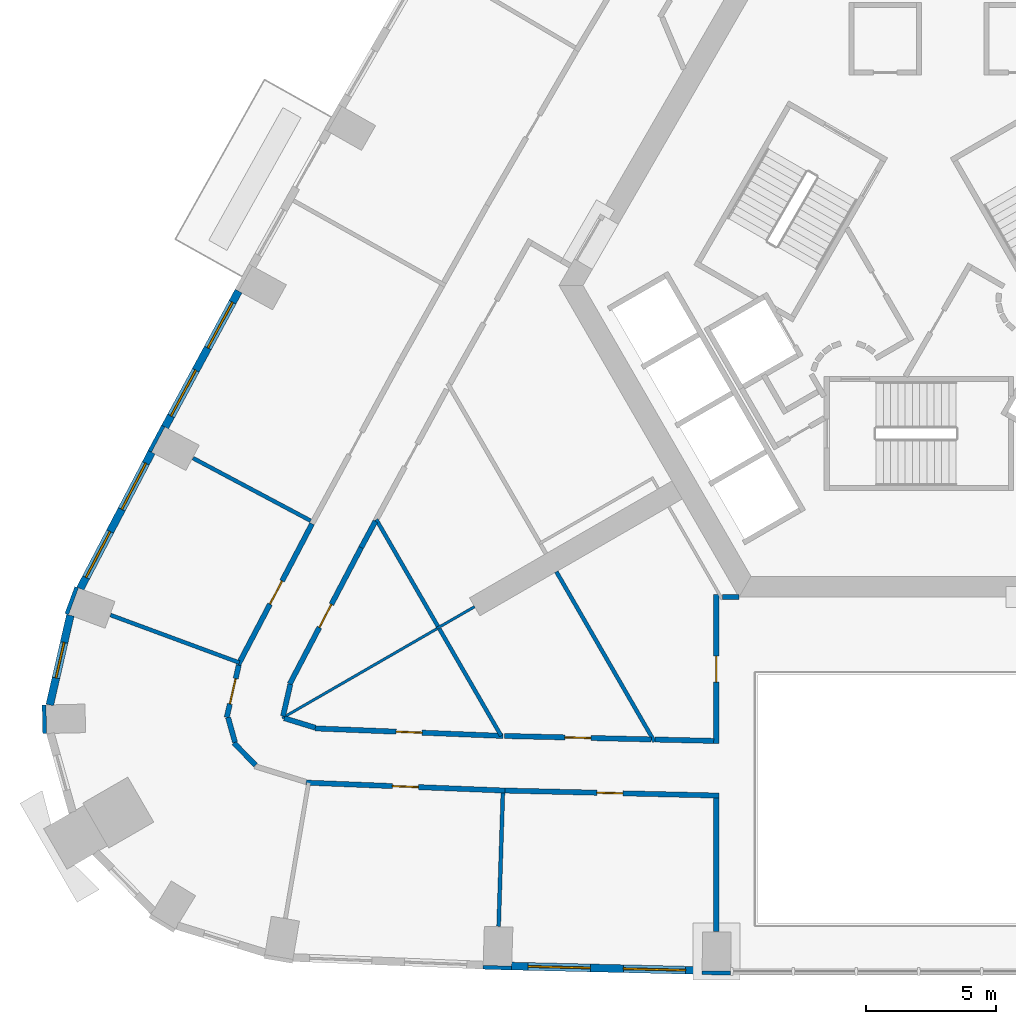
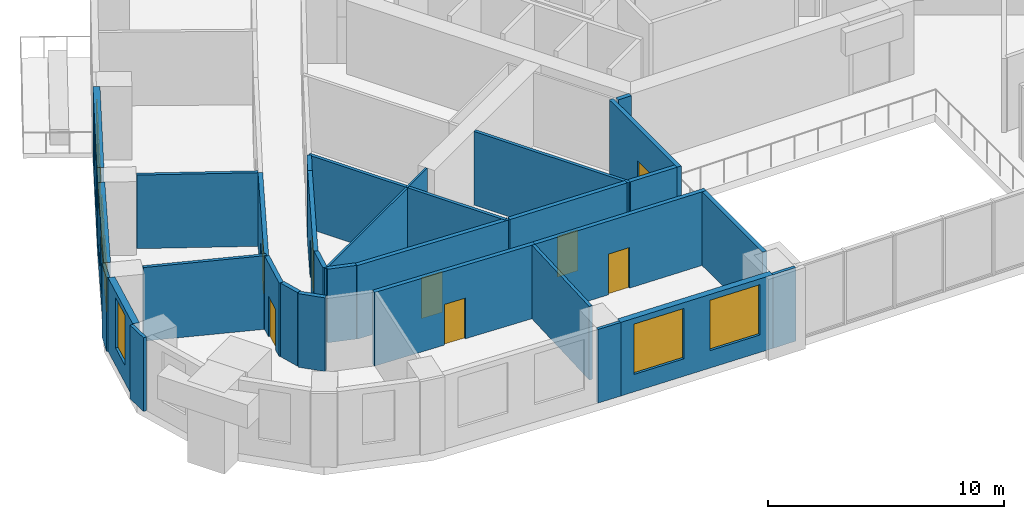
# One storey, part 4 of 14: 33 walls, 8 doors, 7 windows, 15 openings.
"""IFC4 building model written with IfcOpenShell, lengths in metres."""

from ifc_helpers import new_model, si_unit, direction, frame, frame_2d, origin, place, context, subcontext, project, spatial, rectangle, extrude, material, layer, layer_set, type_object, element, fill, save


model = new_model("IFC4")

# Units and contexts
model_context = context("Model", 3, precision=1e-05, world=origin(), true_north=direction((0.0, 1.0)))
body_context = subcontext(model_context, "Body", "Model", "MODEL_VIEW")
ifc_project = project(units=[si_unit("LENGTHUNIT", "METRE"), si_unit("AREAUNIT", "SQUARE_METRE"), si_unit("VOLUMEUNIT", "CUBIC_METRE"), si_unit("PLANEANGLEUNIT", "RADIAN"), si_unit("MASSUNIT", "GRAM", prefix="KILO")], contexts=[model_context])

# Site, building, storey
site_placement = place(None, origin())
site = spatial("IfcSite", under=ifc_project, at=site_placement, CompositionType="ELEMENT")
building_placement = place(site_placement, origin())
building = spatial("IfcBuilding", under=site, at=building_placement, Name="Entoto Arch Interchange Tower", CompositionType="ELEMENT")
storey_placement = place(building_placement, frame((0.0, 0.0, 146.60009765625)))
storey = spatial("IfcBuildingStorey", under=building, at=storey_placement, Name="L32", CompositionType="ELEMENT", Elevation=146.60009765625)

# Walls
ifc_material_1 = material(Name="Gypsum board partition on steel studs", Category="steel")
ifc_layer_1 = layer(ifc_material_1, 0.10009765625)
ifc_layer_set_1 = layer_set([ifc_layer_1], Name="Gypsum board partition on steel studs")
wall_type_1 = type_object("IfcWallType", Name="PARTITION 100", PredefinedType="PARTITIONING", material=ifc_layer_set_1)
wall_1_placement = place(storey_placement, frame((-17.10791015625, -9.868896484375, 0.0), z_axis=(0.0, 0.0, 1.0), x_axis=(-0.866054481515, -0.499949632511, 0.0)))
element("IfcWall", 1, at=wall_1_placement, inside=storey, type_object=wall_type_1, Name="wall:L32:p119", PredefinedType="PARTITIONING", context=body_context, shape_type="SweptSolid", body=[
    extrude(rectangle(XDim=1.674560546875, YDim=0.10009765625, at=frame_2d((0.83740234375, 0.0))), origin(), (0.0, 0.0, 1.0), 3.7998046875),
])
wall_2_placement = place(storey_placement, frame((-18.552978515625, -10.715087890625, 0.0), z_axis=(0.0, 0.0, 1.0), x_axis=(-0.865984622623, -0.500070628392, 0.0)))
element("IfcWall", 2, at=wall_2_placement, inside=storey, type_object=wall_type_1, Name="wall:L32:p122", PredefinedType="PARTITIONING", context=body_context, shape_type="SweptSolid", body=[
    extrude(rectangle(XDim=6.87890625, YDim=0.10009765625, at=frame_2d((3.439453125, 0.0))), origin(), (0.0, 0.0, 1.0), 3.7998046875),
])
ifc_layer_2 = layer(ifc_material_1, 0.14990234375)
ifc_layer_set_2 = layer_set([ifc_layer_2], Name="Gypsum board partition on steel studs")
wall_type_2 = type_object("IfcWallType", Name="PARTITION 150", PredefinedType="PARTITIONING", material=ifc_layer_set_2)
wall_3_placement = place(storey_placement, frame((-10.179931640625, -15.068115234375, 0.0), z_axis=(0.0, 0.0, 1.0), x_axis=(-0.499907901386, 0.866078570415, 0.0)))
element("IfcWall", 3, at=wall_3_placement, inside=storey, type_object=wall_type_2, Name="wall:L32:p118", PredefinedType="PARTITIONING", context=body_context, shape_type="SweptSolid", body=[
    extrude(rectangle(XDim=7.5595703125, YDim=0.14990234375, at=frame_2d((3.77978515625, 0.0))), origin(), (0.0, 0.0, 1.0), 3.7998046875),
])
wall_4_placement = place(storey_placement, frame((-18.51806640625, -10.625, 0.0), z_axis=(0.0, 0.0, 1.0), x_axis=(-0.50001189137, 0.86601853819, 0.0)))
element("IfcWall", 4, at=wall_4_placement, inside=storey, type_object=wall_type_2, Name="wall:L32:p120", PredefinedType="PARTITIONING", context=body_context, shape_type="SweptSolid", body=[
    extrude(rectangle(XDim=4.74609375, YDim=0.14990234375, at=frame_2d((2.373046875, 0.0))), origin(), (0.0, 0.0, 1.0), 3.7998046875),
])
wall_5_placement = place(storey_placement, frame((-16.083984375, -14.841064453125, 0.0), z_axis=(0.0, 0.0, 1.0), x_axis=(-0.50002451059, 0.866011252126, 0.0)))
element("IfcWall", 5, at=wall_5_placement, inside=storey, type_object=wall_type_2, Name="wall:L32:p121", PredefinedType="PARTITIONING", context=body_context, shape_type="SweptSolid", body=[
    extrude(rectangle(XDim=4.757568359375, YDim=0.14990234375, at=frame_2d((2.37890625, 0.0))), origin(), (0.0, 0.0, 1.0), 3.7998046875),
])
wall_6_placement = place(storey_placement, frame((-23.4169921875, -6.56005859375, 0.0), z_axis=(0.0, 0.0, 1.0), x_axis=(-0.882784638588, 0.469777906967, 0.0)))
element("IfcWall", 6, at=wall_6_placement, inside=storey, type_object=wall_type_2, Name="wall:L32:p136", PredefinedType="PARTITIONING", context=body_context, shape_type="SweptSolid", body=[
    extrude(rectangle(XDim=5.13037109375, YDim=0.14990234375, at=frame_2d((2.565185546875, 0.0))), origin(), (0.0, 0.0, 1.0), 3.7998046875),
])
wall_7_placement = place(storey_placement, frame((-26.1640625, -12.02294921875, 0.0), z_axis=(0.0, 0.0, 1.0), x_axis=(-0.937995804261, 0.346646608505, 0.0)))
element("IfcWall", 7, at=wall_7_placement, inside=storey, type_object=wall_type_2, Name="wall:L32:p137", PredefinedType="PARTITIONING", context=body_context, shape_type="SweptSolid", body=[
    extrude(rectangle(XDim=5.287841796875, YDim=0.14990234375, at=frame_2d((2.64404296875, 0.0))), origin(), (0.0, 0.0, 1.0), 3.7998046875),
])
wall_8_placement = place(storey_placement, frame((-16.01806640625, -17.044921875, 0.0), z_axis=(0.0, 0.0, 1.0), x_axis=(-0.031744385759, -0.999496019988, 0.0)))
element("IfcWall", 8, at=wall_8_placement, inside=storey, type_object=wall_type_2, Name="wall:L32:p139", PredefinedType="PARTITIONING", context=body_context, shape_type="SweptSolid", body=[
    extrude(rectangle(XDim=5.1298828125, YDim=0.14990234375, at=frame_2d((2.56494140625, 0.0))), origin(), (0.0, 0.0, 1.0), 3.7998046875),
])
ifc_layer_3 = layer(ifc_material_1, 0.199951171875)
ifc_layer_set_3 = layer_set([ifc_layer_3], Name="Gypsum board partition on steel studs")
wall_type_3 = type_object("IfcWallType", Name="PARTITION 200", PredefinedType="PARTITIONING", material=ifc_layer_set_3)
wall_9_placement = place(storey_placement, frame((-10.155029296875, -14.98291015625, 0.0), z_axis=(0.0, 0.0, 1.0), x_axis=(0.999724165956, -0.023485995887, 0.0)))
element("IfcWall", 9, at=wall_9_placement, inside=storey, type_object=wall_type_3, Name="wall:L32:p024", PredefinedType="PARTITIONING", context=body_context, shape_type="SweptSolid", body=[
    extrude(rectangle(XDim=2.255859375, YDim=0.199951171875, at=frame_2d((1.1279296875, 0.0))), origin(), (0.0, 0.0, 1.0), 3.7998046875),
])

# Wall, opening, door
wall_10_placement = place(storey_placement, frame((-15.947998046875, -14.845947265625, 0.0), z_axis=(0.0, 0.0, 1.0), x_axis=(0.999722136341, -0.023572231734, 0.0)))
wall_10 = element("IfcWall", 10, at=wall_10_placement, inside=storey, type_object=wall_type_3, Name="wall:L32:p026", PredefinedType="PARTITIONING", context=body_context, shape_type="SweptSolid", body=[
    extrude(rectangle(XDim=5.64453125, YDim=0.199951171875, at=frame_2d((2.822265625, 0.0))), origin(), (0.0, 0.0, 1.0), 3.7998046875),
])
opening_1_placement = place(wall_10_placement, frame((2.322021484375, 0.0, 0.0)))
opening_1 = element("IfcOpeningElement", 11, at=opening_1_placement, cuts=wall_10, Name="Opening L32-D27", PredefinedType="OPENING", context=body_context, shape_type="SweptSolid", body=[
    extrude(rectangle(XDim=1.0, YDim=2.10009765625, at=frame_2d((0.5, 1.050048828125))), frame((0.0, 0.10986328125, 0.0), z_axis=(0.0, -1.0, 0.0), x_axis=(1.0, 0.0, 0.0)), (0.0, 0.0, 1.0), 0.219970703125),
])
ifc_material_2 = material(Name="Timber door leaf in Steel S235 frame", Category="steel")
door_type = type_object("IfcDoorType", Name="DOOR DS-10 1000x2100", OperationType="SINGLE_SWING_LEFT", PredefinedType="DOOR", material=ifc_material_2)
door_1_placement = place(opening_1_placement, origin())
door_1 = element("IfcDoor", 12, at=door_1_placement, inside=storey, type_object=door_type, Name="door:L32:27", OperationType="SINGLE_SWING_LEFT", OverallHeight=2.10009765625, OverallWidth=1.0, PredefinedType="DOOR", context=body_context, shape_type="SweptSolid", body=[
    extrude(rectangle(XDim=1.0, YDim=2.10009765625, at=frame_2d((0.5, 1.050048828125))), frame((0.0, 0.02490234375, 0.0), z_axis=(0.0, -1.0, 0.0), x_axis=(1.0, 0.0, 0.0)), (0.0, 0.0, 1.0), 0.050048828125),
])
fill(opening_1, door_1)

wall_11_placement = place(storey_placement, frame((-21.47509765625, -7.593994140625, 0.0), z_axis=(0.0, 0.0, 1.0), x_axis=(-0.463809970306, -0.885934710599, 0.0)))
wall_11 = element("IfcWall", 13, at=wall_11_placement, inside=storey, type_object=wall_type_3, Name="wall:L32:p027", PredefinedType="PARTITIONING", context=body_context, shape_type="SweptSolid", body=[
    extrude(rectangle(XDim=5.927001953125, YDim=0.199951171875, at=frame_2d((2.96337890625, 0.0))), origin(), (0.0, 0.0, 1.0), 3.7998046875),
])
opening_2_placement = place(wall_11_placement, frame((2.464111328125, 0.0, 0.0)))
opening_2 = element("IfcOpeningElement", 14, at=opening_2_placement, cuts=wall_11, Name="Opening L32-D28", PredefinedType="OPENING", context=body_context, shape_type="SweptSolid", body=[
    extrude(rectangle(XDim=1.0, YDim=2.10009765625, at=frame_2d((0.5, 1.050048828125))), frame((0.0, 0.10986328125, 0.0), z_axis=(0.0, -1.0, 0.0), x_axis=(1.0, 0.0, 0.0)), (0.0, 0.0, 1.0), 0.219970703125),
])
door_2_placement = place(opening_2_placement, origin())
door_2 = element("IfcDoor", 15, at=door_2_placement, inside=storey, type_object=door_type, Name="door:L32:28", OperationType="SINGLE_SWING_LEFT", OverallHeight=2.10009765625, OverallWidth=1.0, PredefinedType="DOOR", context=body_context, shape_type="SweptSolid", body=[
    extrude(rectangle(XDim=1.0, YDim=2.10009765625, at=frame_2d((0.5, 1.050048828125))), frame((0.0, 0.02490234375, 0.0), z_axis=(0.0, -1.0, 0.0), x_axis=(1.0, 0.0, 0.0)), (0.0, 0.0, 1.0), 0.050048828125),
])
fill(opening_2, door_2)

# Walls
wall_12_placement = place(storey_placement, frame((-24.199951171875, -12.85400390625, 0.0), z_axis=(0.0, 0.0, 1.0), x_axis=(-0.223967203961, -0.974596681479, 0.0)))
element("IfcWall", 16, at=wall_12_placement, inside=storey, type_object=wall_type_3, Name="wall:L32:p028", PredefinedType="PARTITIONING", context=body_context, shape_type="SweptSolid", body=[
    extrude(rectangle(XDim=1.259033203125, YDim=0.199951171875, at=frame_2d((0.62939453125, 0.0))), origin(), (0.0, 0.0, 1.0), 3.7998046875),
])
wall_13_placement = place(storey_placement, frame((-20.927001953125, -6.5810546875, 0.0), z_axis=(0.0, 0.0, 1.0), x_axis=(-0.475893856394, -0.879502721682, 0.0)))
element("IfcWall", 17, at=wall_13_placement, inside=storey, type_object=wall_type_3, Name="wall:L32:p029", PredefinedType="PARTITIONING", context=body_context, shape_type="SweptSolid", body=[
    extrude(rectangle(XDim=1.151611328125, YDim=0.199951171875, at=frame_2d((0.57568359375, 0.0))), origin(), (0.0, 0.0, 1.0), 3.7998046875),
])
wall_14_placement = place(storey_placement, frame((-24.43505859375, -14.162109375, 0.0), z_axis=(0.0, 0.0, 1.0), x_axis=(0.956086269468, -0.293085389152, 0.0)))
element("IfcWall", 18, at=wall_14_placement, inside=storey, type_object=wall_type_3, Name="wall:L32:p030", PredefinedType="PARTITIONING", context=body_context, shape_type="SweptSolid", body=[
    extrude(rectangle(XDim=1.251953125, YDim=0.199951171875, at=frame_2d((0.6259765625, 0.0))), origin(), (0.0, 0.0, 1.0), 3.7998046875),
])

# Wall, opening, door
wall_15_placement = place(storey_placement, frame((-23.241943359375, -14.554931640625, 0.0), z_axis=(0.0, 0.0, 1.0), x_axis=(0.999202143743, -0.039938401802, 0.0)))
wall_15 = element("IfcWall", 19, at=wall_15_placement, inside=storey, type_object=wall_type_3, Name="wall:L32:p031", PredefinedType="PARTITIONING", context=body_context, shape_type="SweptSolid", body=[
    extrude(rectangle(XDim=7.23779296875, YDim=0.199951171875, at=frame_2d((3.618896484375, 0.0))), origin(), (0.0, 0.0, 1.0), 3.7998046875),
])
opening_3_placement = place(wall_15_placement, frame((3.118896484375, 0.0, 0.0)))
opening_3 = element("IfcOpeningElement", 20, at=opening_3_placement, cuts=wall_15, Name="Opening L32-D29", PredefinedType="OPENING", context=body_context, shape_type="SweptSolid", body=[
    extrude(rectangle(XDim=1.0, YDim=2.10009765625, at=frame_2d((0.5, 1.050048828125))), frame((0.0, 0.10986328125, 0.0), z_axis=(0.0, -1.0, 0.0), x_axis=(1.0, 0.0, 0.0)), (0.0, 0.0, 1.0), 0.219970703125),
])
door_3_placement = place(opening_3_placement, origin())
door_3 = element("IfcDoor", 21, at=door_3_placement, inside=storey, type_object=door_type, Name="door:L32:29", OperationType="SINGLE_SWING_LEFT", OverallHeight=2.10009765625, OverallWidth=1.0, PredefinedType="DOOR", context=body_context, shape_type="SweptSolid", body=[
    extrude(rectangle(XDim=1.0, YDim=2.10009765625, at=frame_2d((0.5, 1.050048828125))), frame((0.0, 0.02490234375, 0.0), z_axis=(0.0, -1.0, 0.0), x_axis=(1.0, 0.0, 0.0)), (0.0, 0.0, 1.0), 0.050048828125),
])
fill(opening_3, door_3)

wall_16_placement = place(storey_placement, frame((-26.2099609375, -12.111083984375, 0.0), z_axis=(0.0, 0.0, 1.0), x_axis=(0.46374980173, 0.885966207818, 0.0)))
wall_16 = element("IfcWall", 22, at=wall_16_placement, inside=storey, type_object=wall_type_3, Name="wall:L32:p059", PredefinedType="PARTITIONING", context=body_context, shape_type="SweptSolid", body=[
    extrude(rectangle(XDim=6.13671875, YDim=0.199951171875, at=frame_2d((3.068359375, 0.0))), origin(), (0.0, 0.0, 1.0), 3.7998046875),
])
opening_4_placement = place(wall_16_placement, frame((2.64404296875, 0.0, 0.0)))
opening_4 = element("IfcOpeningElement", 23, at=opening_4_placement, cuts=wall_16, Name="Opening L32-D15", PredefinedType="OPENING", context=body_context, shape_type="SweptSolid", body=[
    extrude(rectangle(XDim=1.0, YDim=2.10009765625, at=frame_2d((0.5, 1.050048828125))), frame((0.0, 0.10986328125, 0.0), z_axis=(0.0, -1.0, 0.0), x_axis=(1.0, 0.0, 0.0)), (0.0, 0.0, 1.0), 0.219970703125),
])
door_4_placement = place(opening_4_placement, origin())
door_4 = element("IfcDoor", 24, at=door_4_placement, inside=storey, type_object=door_type, Name="door:L32:15", OperationType="SINGLE_SWING_LEFT", OverallHeight=2.10009765625, OverallWidth=1.0, PredefinedType="DOOR", context=body_context, shape_type="SweptSolid", body=[
    extrude(rectangle(XDim=1.0, YDim=2.10009765625, at=frame_2d((0.5, 1.050048828125))), frame((0.0, 0.02490234375, 0.0), z_axis=(0.0, -1.0, 0.0), x_axis=(1.0, 0.0, 0.0)), (0.0, 0.0, 1.0), 0.050048828125),
])
fill(opening_4, door_4)

# Walls
wall_17_placement = place(storey_placement, frame((-25.5380859375, -15.969970703125, 0.0), z_axis=(0.0, 0.0, 1.0), x_axis=(-0.698272822523, 0.715831729756, 0.0)))
element("IfcWall", 25, at=wall_17_placement, inside=storey, type_object=wall_type_3, Name="wall:L32:p061", PredefinedType="PARTITIONING", context=body_context, shape_type="SweptSolid", body=[
    extrude(rectangle(XDim=1.19580078125, YDim=0.199951171875, at=frame_2d((0.597900390625, 0.0))), origin(), (0.0, 0.0, 1.0), 3.7998046875),
])
wall_18_placement = place(storey_placement, frame((-26.330078125, -15.089111328125, 0.0), z_axis=(0.0, 0.0, 1.0), x_axis=(-0.270631784819, 0.962682936925, 0.0)))
element("IfcWall", 26, at=wall_18_placement, inside=storey, type_object=wall_type_3, Name="wall:L32:p062", PredefinedType="PARTITIONING", context=body_context, shape_type="SweptSolid", body=[
    extrude(rectangle(XDim=0.994140625, YDim=0.199951171875, at=frame_2d((0.4970703125, 0.0))), origin(), (0.0, 0.0, 1.0), 3.7998046875),
])

# Wall, opening, door
wall_19_placement = place(storey_placement, frame((-26.64892578125, -14.133056640625, 0.0), z_axis=(0.0, 0.0, 1.0), x_axis=(0.224108401048, 0.974564222912, 0.0)))
wall_19 = element("IfcWall", 27, at=wall_19_placement, inside=storey, type_object=wall_type_3, Name="wall:L32:p063", PredefinedType="PARTITIONING", context=body_context, shape_type="SweptSolid", body=[
    extrude(rectangle(XDim=2.0654296875, YDim=0.199951171875, at=frame_2d((1.03271484375, 0.0))), origin(), (0.0, 0.0, 1.0), 3.7998046875),
])
opening_5_placement = place(wall_19_placement, frame((0.532958984375, 0.0, 0.0)))
opening_5 = element("IfcOpeningElement", 28, at=opening_5_placement, cuts=wall_19, Name="Opening L32-D16", PredefinedType="OPENING", context=body_context, shape_type="SweptSolid", body=[
    extrude(rectangle(XDim=1.0, YDim=2.10009765625, at=frame_2d((0.5, 1.050048828125))), frame((0.0, 0.10986328125, 0.0), z_axis=(0.0, -1.0, 0.0), x_axis=(1.0, 0.0, 0.0)), (0.0, 0.0, 1.0), 0.219970703125),
])
door_5_placement = place(opening_5_placement, origin())
door_5 = element("IfcDoor", 29, at=door_5_placement, inside=storey, type_object=door_type, Name="door:L32:16", OperationType="SINGLE_SWING_LEFT", OverallHeight=2.10009765625, OverallWidth=1.0, PredefinedType="DOOR", context=body_context, shape_type="SweptSolid", body=[
    extrude(rectangle(XDim=1.0, YDim=2.10009765625, at=frame_2d((0.5, 1.050048828125))), frame((0.0, 0.02490234375, 0.0), z_axis=(0.0, -1.0, 0.0), x_axis=(1.0, 0.0, 0.0)), (0.0, 0.0, 1.0), 0.050048828125),
])
fill(opening_5, door_5)

wall_20_placement = place(storey_placement, frame((-15.93994140625, -16.947998046875, 0.0), z_axis=(0.0, 0.0, 1.0), x_axis=(-0.999203094545, 0.03991460699, 0.0)))
wall_20 = element("IfcWall", 30, at=wall_20_placement, inside=storey, type_object=wall_type_3, Name="wall:L32:p064", PredefinedType="PARTITIONING", context=body_context, shape_type="SweptSolid", body=[
    extrude(rectangle(XDim=7.6640625, YDim=0.199951171875, at=frame_2d((3.83203125, 0.0))), origin(), (0.0, 0.0, 1.0), 3.7998046875),
])
opening_6_placement = place(wall_20_placement, frame((3.33203125, 0.0, 0.0)))
opening_6 = element("IfcOpeningElement", 31, at=opening_6_placement, cuts=wall_20, Name="Opening L32-D17", PredefinedType="OPENING", context=body_context, shape_type="SweptSolid", body=[
    extrude(rectangle(XDim=1.0, YDim=2.10009765625, at=frame_2d((0.5, 1.050048828125))), frame((0.0, 0.10986328125, 0.0), z_axis=(0.0, -1.0, 0.0), x_axis=(1.0, 0.0, 0.0)), (0.0, 0.0, 1.0), 0.219970703125),
])
door_6_placement = place(opening_6_placement, origin())
door_6 = element("IfcDoor", 32, at=door_6_placement, inside=storey, type_object=door_type, Name="door:L32:17", OperationType="SINGLE_SWING_LEFT", OverallHeight=2.10009765625, OverallWidth=1.0, PredefinedType="DOOR", context=body_context, shape_type="SweptSolid", body=[
    extrude(rectangle(XDim=1.0, YDim=2.10009765625, at=frame_2d((0.5, 1.050048828125))), frame((0.0, 0.02490234375, 0.0), z_axis=(0.0, -1.0, 0.0), x_axis=(1.0, 0.0, 0.0)), (0.0, 0.0, 1.0), 0.050048828125),
])
fill(opening_6, door_6)

wall_21_placement = place(storey_placement, frame((-7.699951171875, -17.14111328125, 0.0), z_axis=(0.0, 0.0, 1.0), x_axis=(-0.999722699727, 0.023548325865, 0.0)))
wall_21 = element("IfcWall", 33, at=wall_21_placement, inside=storey, type_object=wall_type_3, Name="wall:L32:p065", PredefinedType="PARTITIONING", context=body_context, shape_type="SweptSolid", body=[
    extrude(rectangle(XDim=8.2421875, YDim=0.199951171875, at=frame_2d((4.12109375, 0.0))), origin(), (0.0, 0.0, 1.0), 3.7998046875),
])
opening_7_placement = place(wall_21_placement, frame((3.696044921875, 0.0, 0.0)))
opening_7 = element("IfcOpeningElement", 34, at=opening_7_placement, cuts=wall_21, Name="Opening L32-D18", PredefinedType="OPENING", context=body_context, shape_type="SweptSolid", body=[
    extrude(rectangle(XDim=1.0, YDim=2.10009765625, at=frame_2d((0.5, 1.050048828125))), frame((0.0, 0.10986328125, 0.0), z_axis=(0.0, -1.0, 0.0), x_axis=(1.0, 0.0, 0.0)), (0.0, 0.0, 1.0), 0.219970703125),
])
door_7_placement = place(opening_7_placement, origin())
door_7 = element("IfcDoor", 35, at=door_7_placement, inside=storey, type_object=door_type, Name="door:L32:18", OperationType="SINGLE_SWING_RIGHT", OverallHeight=2.10009765625, OverallWidth=1.0, PredefinedType="DOOR", context=body_context, shape_type="SweptSolid", body=[
    extrude(rectangle(XDim=1.0, YDim=2.10009765625, at=frame_2d((0.5, 1.050048828125))), frame((0.0, 0.02490234375, 0.0), z_axis=(0.0, -1.0, 0.0), x_axis=(1.0, 0.0, 0.0)), (0.0, 0.0, 1.0), 0.050048828125),
])
fill(opening_7, door_7)

# Wall
wall_22_placement = place(storey_placement, frame((-7.572021484375, -9.4990234375, 0.0), z_axis=(0.0, 0.0, 1.0), x_axis=(1.0, 0.0, 0.0)))
element("IfcWall", 36, at=wall_22_placement, inside=storey, type_object=wall_type_3, Name="wall:L32:p103", PredefinedType="PARTITIONING", context=body_context, shape_type="SweptSolid", body=[
    extrude(rectangle(XDim=0.64306640625, YDim=0.199951171875, at=frame_2d((0.321533203125, 0.0))), origin(), (0.0, 0.0, 1.0), 3.7998046875),
])

# Wall, opening, door
wall_23_placement = place(storey_placement, frame((-7.800048828125, -15.138916015625, 0.0), z_axis=(0.0, 0.0, 1.0), x_axis=(0.0, 1.0, 0.0)))
wall_23 = element("IfcWall", 37, at=wall_23_placement, inside=storey, type_object=wall_type_3, Name="wall:L32:p104", PredefinedType="PARTITIONING", context=body_context, shape_type="SweptSolid", body=[
    extrude(rectangle(XDim=5.739990234375, YDim=0.199951171875, at=frame_2d((2.8701171875, 0.0))), origin(), (0.0, 0.0, 1.0), 3.7998046875),
])
opening_8_placement = place(wall_23_placement, frame((2.3701171875, 0.0, 0.0)))
opening_8 = element("IfcOpeningElement", 38, at=opening_8_placement, cuts=wall_23, Name="Opening L32-D25", PredefinedType="OPENING", context=body_context, shape_type="SweptSolid", body=[
    extrude(rectangle(XDim=1.0, YDim=2.10009765625, at=frame_2d((0.5, 1.050048828125))), frame((0.0, 0.10986328125, 0.0), z_axis=(0.0, -1.0, 0.0), x_axis=(1.0, 0.0, 0.0)), (0.0, 0.0, 1.0), 0.219970703125),
])
door_8_placement = place(opening_8_placement, origin())
door_8 = element("IfcDoor", 39, at=door_8_placement, inside=storey, type_object=door_type, Name="door:L32:25", OperationType="SINGLE_SWING_LEFT", OverallHeight=2.10009765625, OverallWidth=1.0, PredefinedType="DOOR", context=body_context, shape_type="SweptSolid", body=[
    extrude(rectangle(XDim=1.0, YDim=2.10009765625, at=frame_2d((0.5, 1.050048828125))), frame((0.0, 0.02490234375, 0.0), z_axis=(0.0, -1.0, 0.0), x_axis=(1.0, 0.0, 0.0)), (0.0, 0.0, 1.0), 0.050048828125),
])
fill(opening_8, door_8)

# Wall
wall_24_placement = place(storey_placement, frame((-7.800048828125, -22.37109375, 0.0), z_axis=(0.0, 0.0, 1.0), x_axis=(0.0, 1.0, 0.0)))
element("IfcWall", 40, at=wall_24_placement, inside=storey, type_object=wall_type_3, Name="wall:L32:p106", PredefinedType="PARTITIONING", context=body_context, shape_type="SweptSolid", body=[
    extrude(rectangle(XDim=5.132080078125, YDim=0.199951171875, at=frame_2d((2.56591796875, 0.0))), origin(), (0.0, 0.0, 1.0), 3.7998046875),
])

# Wall, openings, windows
ifc_material_3 = material(Name="Welded tuff (ignimbrite) cladding, warm buff", Category="masonry")
ifc_layer_4 = layer(ifc_material_3, 0.300048828125)
ifc_layer_set_4 = layer_set([ifc_layer_4], Name="Welded tuff (ignimbrite) cladding, warm buff")
wall_type_4 = type_object("IfcWallType", Name="STONE INFILL WALL 300", PredefinedType="STANDARD", material=ifc_layer_set_4)
wall_25_placement = place(storey_placement, frame((-15.679931640625, -23.705078125, 0.0), z_axis=(0.0, 0.0, 1.0), x_axis=(0.999722302867, -0.023565168146, 0.0)))
wall_25 = element("IfcWall", 41, at=wall_25_placement, inside=storey, type_object=wall_type_4, Name="Facade wall S-02 L32", PredefinedType="STANDARD", context=body_context, shape_type="SweptSolid", body=[
    extrude(rectangle(XDim=7.3349609375, YDim=0.300048828125, at=frame_2d((3.66748046875, 0.0))), origin(), (0.0, 0.0, 1.0), 3.7998046875),
])
opening_9_placement = place(wall_25_placement, frame((0.634033203125, 0.0, 0.89990234375)))
opening_9 = element("IfcOpeningElement", 42, at=opening_9_placement, cuts=wall_25, Name="Opening WO-A", PredefinedType="OPENING", context=body_context, shape_type="SweptSolid", body=[
    extrude(rectangle(XDim=2.39990234375, YDim=2.60009765625, at=frame_2d((1.199951171875, 1.300048828125))), frame((0.0, 0.16015625, 0.0), z_axis=(0.0, -1.0, 0.0), x_axis=(1.0, 0.0, 0.0)), (0.0, 0.0, 1.0), 0.320068359375),
])
opening_10_placement = place(wall_25_placement, frame((4.301025390625, 0.0, 0.89990234375)))
opening_10 = element("IfcOpeningElement", 43, at=opening_10_placement, cuts=wall_25, Name="Opening WO-A", PredefinedType="OPENING", context=body_context, shape_type="SweptSolid", body=[
    extrude(rectangle(XDim=2.39990234375, YDim=2.60009765625, at=frame_2d((1.199951171875, 1.300048828125))), frame((0.0, 0.16015625, 0.0), z_axis=(0.0, -1.0, 0.0), x_axis=(1.0, 0.0, 0.0)), (0.0, 0.0, 1.0), 0.320068359375),
])
ifc_material_4 = material(Name="Clear glass, low-e double glazed", Category="glass")
window_type_1 = type_object("IfcWindowType", Name="WINDOW WO-A 2400x2600", PartitioningType="DOUBLE_PANEL_VERTICAL", PredefinedType="WINDOW", material=ifc_material_4)
window_1_placement = place(opening_9_placement, origin())
window_1 = element("IfcWindow", 44, at=window_1_placement, inside=storey, type_object=window_type_1, Name="Window WO-A S-02 L32", OverallHeight=2.60009765625, OverallWidth=2.39990234375, PartitioningType="SINGLE_PANEL", PredefinedType="WINDOW", context=body_context, shape_type="SweptSolid", body=[
    extrude(rectangle(XDim=2.39990234375, YDim=2.60009765625, at=frame_2d((1.199951171875, 1.300048828125))), frame((0.0, 0.030029296875, 0.0), z_axis=(0.0, -1.0, 0.0), x_axis=(1.0, 0.0, 0.0)), (0.0, 0.0, 1.0), 0.06005859375),
])
fill(opening_9, window_1)
window_2_placement = place(opening_10_placement, origin())
window_2 = element("IfcWindow", 45, at=window_2_placement, inside=storey, type_object=window_type_1, Name="Window WO-A S-02 L32", OverallHeight=2.60009765625, OverallWidth=2.39990234375, PartitioningType="SINGLE_PANEL", PredefinedType="WINDOW", context=body_context, shape_type="SweptSolid", body=[
    extrude(rectangle(XDim=2.39990234375, YDim=2.60009765625, at=frame_2d((1.199951171875, 1.300048828125))), frame((0.0, 0.030029296875, 0.0), z_axis=(0.0, -1.0, 0.0), x_axis=(1.0, 0.0, 0.0)), (0.0, 0.0, 1.0), 0.06005859375),
])
fill(opening_10, window_2)

wall_26_placement = place(storey_placement, frame((-26.194091796875, 2.281982421875, 0.0), z_axis=(0.0, 0.0, 1.0), x_axis=(-0.475794135288, -0.87955667289, 0.0)))
wall_26 = element("IfcWall", 46, at=wall_26_placement, inside=storey, type_object=wall_type_4, Name="Facade wall NW-06 L32", PredefinedType="STANDARD", context=body_context, shape_type="SweptSolid", body=[
    extrude(rectangle(XDim=5.95166015625, YDim=0.300048828125, at=frame_2d((2.975830078125, 0.0))), origin(), (0.0, 0.0, 1.0), 3.7998046875),
])
opening_11_placement = place(wall_26_placement, frame((0.488037109375, 0.0, 0.89990234375)))
opening_11 = element("IfcOpeningElement", 47, at=opening_11_placement, cuts=wall_26, Name="Opening WO-C", PredefinedType="OPENING", context=body_context, shape_type="SweptSolid", body=[
    extrude(rectangle(XDim=2.0, YDim=2.60009765625, at=frame_2d((1.0, 1.300048828125))), frame((0.0, 0.16015625, 0.0), z_axis=(0.0, -1.0, 0.0), x_axis=(1.0, 0.0, 0.0)), (0.0, 0.0, 1.0), 0.320068359375),
])
opening_12_placement = place(wall_26_placement, frame((3.464111328125, 0.0, 0.89990234375)))
opening_12 = element("IfcOpeningElement", 48, at=opening_12_placement, cuts=wall_26, Name="Opening WO-C", PredefinedType="OPENING", context=body_context, shape_type="SweptSolid", body=[
    extrude(rectangle(XDim=2.0, YDim=2.60009765625, at=frame_2d((1.0, 1.300048828125))), frame((0.0, 0.16015625, 0.0), z_axis=(0.0, -1.0, 0.0), x_axis=(1.0, 0.0, 0.0)), (0.0, 0.0, 1.0), 0.320068359375),
])
window_type_2 = type_object("IfcWindowType", Name="WINDOW WO-C 2000x2600", PartitioningType="DOUBLE_PANEL_VERTICAL", PredefinedType="WINDOW", material=ifc_material_4)
window_3_placement = place(opening_11_placement, origin())
window_3 = element("IfcWindow", 49, at=window_3_placement, inside=storey, type_object=window_type_2, Name="Window WO-C NW-06 L32", OverallHeight=2.60009765625, OverallWidth=2.0, PartitioningType="SINGLE_PANEL", PredefinedType="WINDOW", context=body_context, shape_type="SweptSolid", body=[
    extrude(rectangle(XDim=2.0, YDim=2.60009765625, at=frame_2d((1.0, 1.300048828125))), frame((0.0, 0.030029296875, 0.0), z_axis=(0.0, -1.0, 0.0), x_axis=(1.0, 0.0, 0.0)), (0.0, 0.0, 1.0), 0.06005859375),
])
fill(opening_11, window_3)
window_4_placement = place(opening_12_placement, origin())
window_4 = element("IfcWindow", 50, at=window_4_placement, inside=storey, type_object=window_type_2, Name="Window WO-C NW-06 L32", OverallHeight=2.60009765625, OverallWidth=2.0, PartitioningType="SINGLE_PANEL", PredefinedType="WINDOW", context=body_context, shape_type="SweptSolid", body=[
    extrude(rectangle(XDim=2.0, YDim=2.60009765625, at=frame_2d((1.0, 1.300048828125))), frame((0.0, 0.030029296875, 0.0), z_axis=(0.0, -1.0, 0.0), x_axis=(1.0, 0.0, 0.0)), (0.0, 0.0, 1.0), 0.06005859375),
])
fill(opening_12, window_4)

wall_27_placement = place(storey_placement, frame((-29.5419921875, -3.922119140625, 0.0), z_axis=(0.0, 0.0, 1.0), x_axis=(-0.463809970306, -0.885934710599, 0.0)))
wall_27 = element("IfcWall", 51, at=wall_27_placement, inside=storey, type_object=wall_type_4, Name="Facade wall NW-07 L32", PredefinedType="STANDARD", context=body_context, shape_type="SweptSolid", body=[
    extrude(rectangle(XDim=5.927001953125, YDim=0.300048828125, at=frame_2d((2.96337890625, 0.0))), origin(), (0.0, 0.0, 1.0), 3.7998046875),
])
opening_13_placement = place(wall_27_placement, frame((0.48193359375, 0.0, 0.89990234375)))
opening_13 = element("IfcOpeningElement", 52, at=opening_13_placement, cuts=wall_27, Name="Opening WO-C", PredefinedType="OPENING", context=body_context, shape_type="SweptSolid", body=[
    extrude(rectangle(XDim=2.0, YDim=2.60009765625, at=frame_2d((1.0, 1.300048828125))), frame((0.0, 0.16015625, 0.0), z_axis=(0.0, -1.0, 0.0), x_axis=(1.0, 0.0, 0.0)), (0.0, 0.0, 1.0), 0.320068359375),
])
opening_14_placement = place(wall_27_placement, frame((3.445068359375, 0.0, 0.89990234375)))
opening_14 = element("IfcOpeningElement", 53, at=opening_14_placement, cuts=wall_27, Name="Opening WO-C", PredefinedType="OPENING", context=body_context, shape_type="SweptSolid", body=[
    extrude(rectangle(XDim=2.0, YDim=2.60009765625, at=frame_2d((1.0, 1.300048828125))), frame((0.0, 0.16015625, 0.0), z_axis=(0.0, -1.0, 0.0), x_axis=(1.0, 0.0, 0.0)), (0.0, 0.0, 1.0), 0.320068359375),
])
window_5_placement = place(opening_13_placement, origin())
window_5 = element("IfcWindow", 54, at=window_5_placement, inside=storey, type_object=window_type_2, Name="Window WO-C NW-07 L32", OverallHeight=2.60009765625, OverallWidth=2.0, PartitioningType="SINGLE_PANEL", PredefinedType="WINDOW", context=body_context, shape_type="SweptSolid", body=[
    extrude(rectangle(XDim=2.0, YDim=2.60009765625, at=frame_2d((1.0, 1.300048828125))), frame((0.0, 0.030029296875, 0.0), z_axis=(0.0, -1.0, 0.0), x_axis=(1.0, 0.0, 0.0)), (0.0, 0.0, 1.0), 0.06005859375),
])
fill(opening_13, window_5)
window_6_placement = place(opening_14_placement, origin())
window_6 = element("IfcWindow", 55, at=window_6_placement, inside=storey, type_object=window_type_2, Name="Window WO-C NW-07 L32", OverallHeight=2.60009765625, OverallWidth=2.0, PartitioningType="SINGLE_PANEL", PredefinedType="WINDOW", context=body_context, shape_type="SweptSolid", body=[
    extrude(rectangle(XDim=2.0, YDim=2.60009765625, at=frame_2d((1.0, 1.300048828125))), frame((0.0, 0.030029296875, 0.0), z_axis=(0.0, -1.0, 0.0), x_axis=(1.0, 0.0, 0.0)), (0.0, 0.0, 1.0), 0.06005859375),
])
fill(opening_14, window_6)

# Wall, opening, window
wall_28_placement = place(storey_placement, frame((-32.672119140625, -10.202880859375, 0.0), z_axis=(0.0, 0.0, 1.0), x_axis=(-0.223538714932, -0.974695051247, 0.0)))
wall_28 = element("IfcWall", 56, at=wall_28_placement, inside=storey, type_object=wall_type_4, Name="Facade wall SW-01 L32", PredefinedType="STANDARD", context=body_context, shape_type="SweptSolid", body=[
    extrude(rectangle(XDim=3.53759765625, YDim=0.300048828125, at=frame_2d((1.768798828125, 0.0))), origin(), (0.0, 0.0, 1.0), 3.7998046875),
])
opening_15_placement = place(wall_28_placement, frame((1.069091796875, 0.0, 0.89990234375)))
opening_15 = element("IfcOpeningElement", 57, at=opening_15_placement, cuts=wall_28, Name="Opening WO-B", PredefinedType="OPENING", context=body_context, shape_type="SweptSolid", body=[
    extrude(rectangle(XDim=1.39990234375, YDim=2.60009765625, at=frame_2d((0.699951171875, 1.300048828125))), frame((0.0, 0.16015625, 0.0), z_axis=(0.0, -1.0, 0.0), x_axis=(1.0, 0.0, 0.0)), (0.0, 0.0, 1.0), 0.320068359375),
])
window_type_3 = type_object("IfcWindowType", Name="WINDOW WO-B 1400x2600", PartitioningType="DOUBLE_PANEL_VERTICAL", PredefinedType="WINDOW", material=ifc_material_4)
window_7_placement = place(opening_15_placement, origin())
window_7 = element("IfcWindow", 58, at=window_7_placement, inside=storey, type_object=window_type_3, Name="Window WO-B SW-01 L32", OverallHeight=2.60009765625, OverallWidth=1.39990234375, PartitioningType="SINGLE_PANEL", PredefinedType="WINDOW", context=body_context, shape_type="SweptSolid", body=[
    extrude(rectangle(XDim=1.39990234375, YDim=2.60009765625, at=frame_2d((0.699951171875, 1.300048828125))), frame((0.0, 0.030029296875, 0.0), z_axis=(0.0, -1.0, 0.0), x_axis=(1.0, 0.0, 0.0)), (0.0, 0.0, 1.0), 0.06005859375),
])
fill(opening_15, window_7)

# Walls
ifc_layer_5 = layer(ifc_material_3, 0.14990234375)
ifc_layer_set_5 = layer_set([ifc_layer_5], Name="Welded tuff (ignimbrite) cladding, warm buff")
wall_type_5 = type_object("IfcWallType", Name="STONE PIER CLADDING 150", PredefinedType="STANDARD", material=ifc_layer_set_5)
for number, where, z_axis, x_axis, name in (
    (59, (-29.094970703125, -2.9150390625, 0.0), (0.0, 0.0, 1.0), (-0.470058271093, -0.88263538439, 0.0), "Stone pier NW07 L32"),
    (60, (-32.428955078125, -9.12109375, 0.0), (0.0, 0.0, 1.0), (-0.346425160624, -0.93807761304, 0.0), "Stone pier NW08 L32"),
):
    element("IfcWall", number, at=place(storey_placement, frame(where, z_axis=z_axis, x_axis=x_axis)), inside=storey, type_object=wall_type_5, Name=name, PredefinedType="STANDARD", context=body_context, shape_type="SweptSolid", body=[
        extrude(rectangle(XDim=1.10009765625, YDim=0.14990234375, at=frame_2d((0.550048828125, 0.0))), origin(), (0.0, 0.0, 1.0), 3.7998046875),
    ])
wall_29_placement = place(storey_placement, frame((-16.781005859375, -23.75, 0.0), z_axis=(0.0, 0.0, 1.0), x_axis=(0.999523702549, -0.030860460829, 0.0)))
element("IfcWall", 61, at=wall_29_placement, inside=storey, type_object=wall_type_5, Name="Stone pier S02 L32", PredefinedType="STANDARD", context=body_context, shape_type="SweptSolid", body=[
    extrude(rectangle(XDim=1.099609375, YDim=0.14990234375, at=frame_2d((0.5498046875, 0.0))), origin(), (0.0, 0.0, 1.0), 3.7998046875),
])
for number, where, z_axis, x_axis, name in (
    (62, (-8.34912109375, -23.9599609375, 0.0), (0.0, 0.0, 1.0), (0.999940879068, -0.010873746799, 0.0), "Stone pier S03 L32"),
    (63, (-33.68310546875, -13.655029296875, 0.0), (0.0, 0.0, 1.0), (0.023744690764, -0.999718055084, 0.0), "Stone pier SW1 L32"),
):
    element("IfcWall", number, at=place(storey_placement, frame(where, z_axis=z_axis, x_axis=x_axis)), inside=storey, type_object=wall_type_5, Name=name, PredefinedType="STANDARD", context=body_context, shape_type="SweptSolid", body=[
        extrude(rectangle(XDim=1.10009765625, YDim=0.14990234375, at=frame_2d((0.550048828125, 0.0))), origin(), (0.0, 0.0, 1.0), 3.7998046875),
    ])

save(model, "model.ifc")
